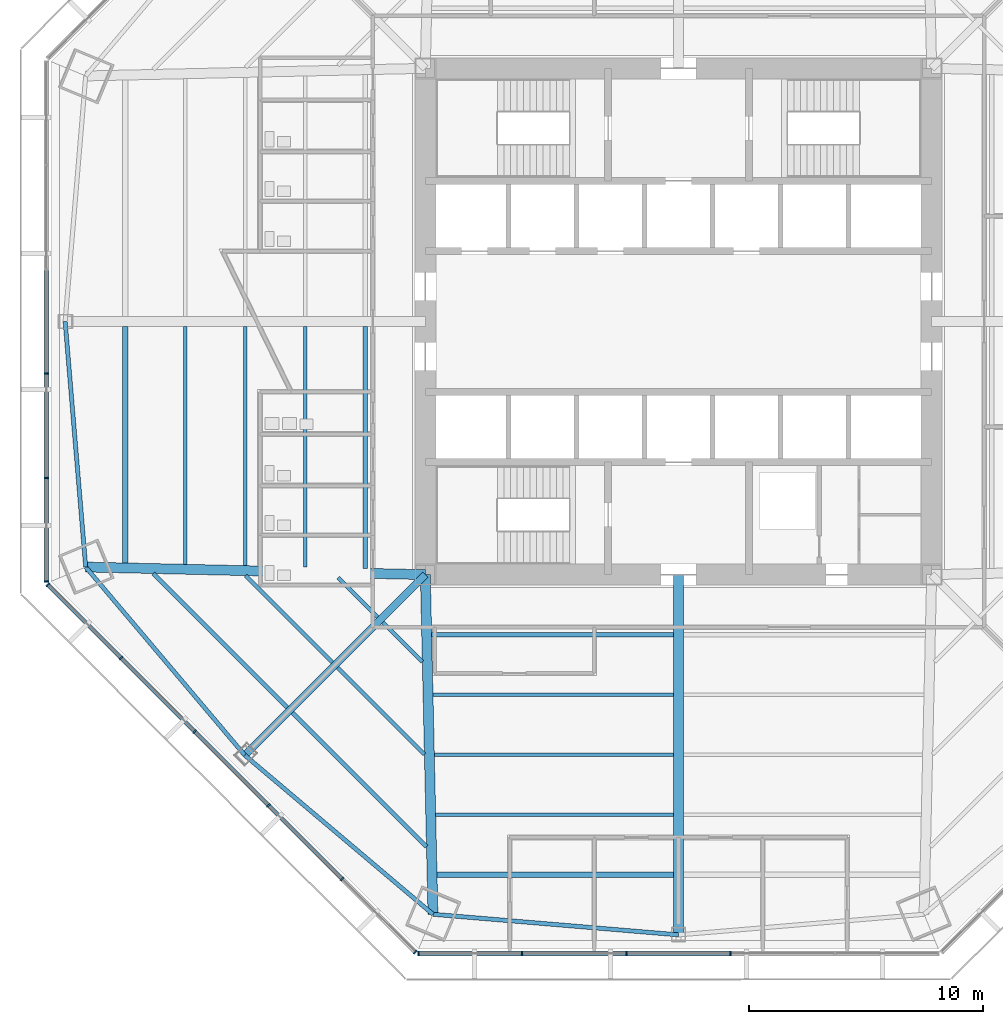
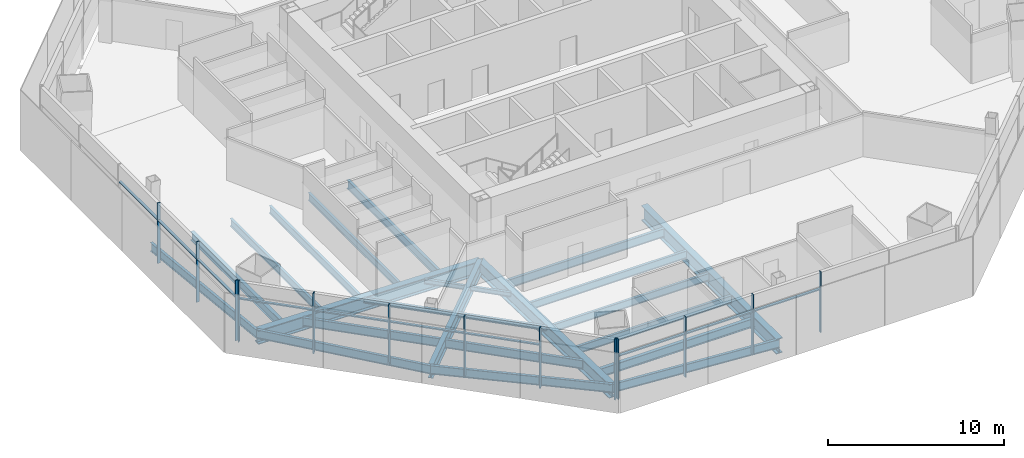
# One storey, part 2 of 15: 24 beams, 23 members, 3 elements without a shape of their own.
"""IFC4 building model written with IfcOpenShell, lengths in metres."""

import ifcopenshell
import ifcopenshell.guid

model = None  # the IFC model being written
_history = None  # IfcOwnerHistory: only IFC2X3 demands one
_inside = {}  # id of a spatial element -> (the spatial element, [elements in it])
_under = {}  # id of a project, library or spatial element -> (it, [spatial elements below it])
_declared = {}  # id of a project -> (the project, [libraries it declares])
_typed = {}  # id of a type object -> (the type object, [elements of that type])
_made_of = {}  # id of a material, layer set ... -> (it, [elements and type objects made of it])


def new_model(schema):
    """Start an empty IFC model of exactly this schema.

    Asked for "IFC4X3", IfcOpenShell would pick the latest addendum, in which some entities
    have other attributes; the version numbers below select the first issue.
    IFC2X3 requires an IfcOwnerHistory on every rooted entity: one is made here for all.
    """
    global model, _history
    if schema == "IFC4X3":
        model = ifcopenshell.file(schema_version=(4, 3, 0, 0))
    else:
        model = ifcopenshell.file(schema=schema)
    _inside.clear()
    _under.clear()
    _declared.clear()
    _typed.clear()
    _made_of.clear()
    _history = None
    if model.schema == "IFC2X3":
        org = make("IfcOrganization", Name="unknown")
        user = make(
            "IfcPersonAndOrganization",
            ThePerson=make("IfcPerson", FamilyName="unknown"),
            TheOrganization=org,
        )
        app = make(
            "IfcApplication",
            ApplicationDeveloper=org,
            Version="unknown",
            ApplicationFullName="unknown",
            ApplicationIdentifier="unknown",
        )
        _history = make(
            "IfcOwnerHistory",
            OwningUser=user,
            OwningApplication=app,
            ChangeAction="ADDED",
            CreationDate=0,
        )
    return model


def make(cls, **values):
    """One entity of the class cls with the attributes given. An attribute that is None is left unset."""
    return model.create_entity(
        cls, **{name: value for name, value in values.items() if value is not None}
    )


def rooted(cls, **values):
    """An entity with a GlobalId (a new one), such as an element, a storey or a relation."""
    return make(cls, GlobalId=ifcopenshell.guid.new(), OwnerHistory=_history, **values)


def si_unit(unit_type, name, prefix=None):
    """IfcSIUnit, for example si_unit("LENGTHUNIT", "METRE", prefix="MILLI")."""
    return make("IfcSIUnit", UnitType=unit_type, Prefix=prefix, Name=name)


def assignment(units):
    """IfcUnitAssignment: the units of a project."""
    return None if units is None else make("IfcUnitAssignment", Units=units)


def point(xyz):
    """IfcCartesianPoint."""
    return None if xyz is None else make("IfcCartesianPoint", Coordinates=xyz)


def direction(xyz):
    """IfcDirection."""
    return None if xyz is None else make("IfcDirection", DirectionRatios=xyz)


def frame(location, z_axis=None, x_axis=None):
    """IfcAxis2Placement3D, a coordinate frame: its origin and axes. An axis left out is left unset."""
    return make(
        "IfcAxis2Placement3D",
        Location=point(location),
        Axis=direction(z_axis),
        RefDirection=direction(x_axis),
    )


def frame_2d(location, x_axis=None):
    """IfcAxis2Placement2D, a coordinate frame in the plane: its origin and x axis."""
    return make(
        "IfcAxis2Placement2D", Location=point(location), RefDirection=direction(x_axis)
    )


def origin():
    """The frame at (0, 0, 0) with its axes left unset."""
    return frame((0.0, 0.0, 0.0))


def origin_2d():
    """The frame at (0, 0) in the plane with its x axis left unset."""
    return frame_2d((0.0, 0.0))


def place(relative_to, where):
    """IfcLocalPlacement: puts the frame where relative to a parent placement (None: the world)."""
    return make(
        "IfcLocalPlacement", PlacementRelTo=relative_to, RelativePlacement=where
    )


def context(
    kind, dimensions, precision=None, world=None, true_north=None, identifier=None
):
    """IfcGeometricRepresentationContext, for example the 3D "Model" context."""
    return make(
        "IfcGeometricRepresentationContext",
        ContextIdentifier=identifier,
        ContextType=kind,
        CoordinateSpaceDimension=dimensions,
        Precision=precision,
        WorldCoordinateSystem=world,
        TrueNorth=true_north,
    )


def subcontext(parent, identifier, kind, view, scale=None):
    """IfcGeometricRepresentationSubContext, for example "Body" below "Model"."""
    return make(
        "IfcGeometricRepresentationSubContext",
        ContextIdentifier=identifier,
        ContextType=kind,
        ParentContext=parent,
        TargetScale=scale,
        TargetView=view,
    )


def project(units=None, contexts=None):
    """IfcProject with its units and contexts."""
    return rooted(
        "IfcProject",
        Name="project",
        RepresentationContexts=contexts,
        UnitsInContext=assignment(units),
    )


def spatial(cls, under=None, at=None, **own):
    """A site, building, storey or space (cls), placed at a placement, below another one or the project."""
    s = rooted(cls, ObjectPlacement=at, **own)
    if under is not None:
        _under.setdefault(under.id(), (under, []))[1].append(s)
    return s


def profile(cls, at=None, kind="AREA", **sizes):
    """A parametric profile (cls). Its sizes go by their IFC names, for example OverallWidth=200.0."""
    return make(cls, ProfileType=kind, Position=at, **sizes)


def rectangle(**sizes):
    """IfcRectangleProfileDef."""
    return profile("IfcRectangleProfileDef", **sizes)


def i_section(**sizes):
    """IfcIShapeProfileDef."""
    return profile("IfcIShapeProfileDef", **sizes)


def extrude(swept, where, along, depth):
    """IfcExtrudedAreaSolid: the profile swept, set in the frame where, extruded along a direction by depth."""
    return make(
        "IfcExtrudedAreaSolid",
        SweptArea=swept,
        Position=where,
        ExtrudedDirection=direction(along),
        Depth=depth,
    )


def shape(context_of_items, identifier, shape_type, items):
    """IfcShapeRepresentation: the items that make up one representation, for example the "Body"."""
    return make(
        "IfcShapeRepresentation",
        ContextOfItems=context_of_items,
        RepresentationIdentifier=identifier,
        RepresentationType=shape_type,
        Items=items,
    )


def source(mapping_origin, context_of_items, identifier, shape_type, items):
    """IfcRepresentationMap: a shape defined once, which mapped items show again and again."""
    return make(
        "IfcRepresentationMap",
        MappingOrigin=mapping_origin,
        MappedRepresentation=shape(context_of_items, identifier, shape_type, items),
    )


def transform(
    local_origin,
    x_axis=None,
    y_axis=None,
    z_axis=None,
    scale=None,
    scale2=None,
    scale3=None,
    uniform=True,
):
    """IfcCartesianTransformationOperator3D, or its non-uniform kind. x_axis, y_axis, z_axis: its Axis1, 2, 3."""
    if uniform:
        return make(
            "IfcCartesianTransformationOperator3D",
            Axis1=direction(x_axis),
            Axis2=direction(y_axis),
            LocalOrigin=point(local_origin),
            Scale=scale,
            Axis3=direction(z_axis),
        )
    return make(
        "IfcCartesianTransformationOperator3DnonUniform",
        Axis1=direction(x_axis),
        Axis2=direction(y_axis),
        LocalOrigin=point(local_origin),
        Scale=scale,
        Axis3=direction(z_axis),
        Scale2=scale2,
        Scale3=scale3,
    )


def mapped(mapping_source, mapping_target):
    """IfcMappedItem: shows the shape of a source again, moved by a transform."""
    return make(
        "IfcMappedItem", MappingSource=mapping_source, MappingTarget=mapping_target
    )


def material(Name=None, Category=None):
    """IfcMaterial."""
    return make("IfcMaterial", Name=Name, Category=Category)


def material_profile(
    of_material, cross_section, Name=None, Category=None, Priority=None
):
    """IfcMaterialProfile: a cross section and its material."""
    return make(
        "IfcMaterialProfile",
        Name=Name,
        Material=of_material,
        Profile=cross_section,
        Priority=Priority,
        Category=Category,
    )


def profile_set(profiles, Name=None, composite=None):
    """IfcMaterialProfileSet."""
    return make(
        "IfcMaterialProfileSet",
        Name=Name,
        MaterialProfiles=profiles,
        CompositeProfile=composite,
    )


def made_of(thing, what):
    """Note that an element or type object is made of a material, layer set ...; save() writes the relation."""
    if what is not None:
        _made_of.setdefault(what.id(), (what, []))[1].append(thing)
    return thing


def type_object(cls, material=None, **own):
    """A type object (cls), such as IfcWallType, which elements share."""
    return made_of(rooted(cls, **own), material)


def type_shapes(of_type, sources):
    """Give a type object the sources (RepresentationMaps) that its elements show as mapped items."""
    of_type.RepresentationMaps = sources


def element(
    cls,
    number,
    at=None,
    inside=None,
    cuts=None,
    type_object=None,
    material=None,
    context=None,
    identifier="Body",
    shape_type=None,
    held_by="IfcProductDefinitionShape",
    body=None,
    shapes=None,
    **own,
):
    """One element of the class cls, such as IfcWall. Its Tag is "e" and its number.

    at: its placement. inside: the storey or other place that contains it. cuts: it is an
    opening in that element (IfcRelVoidsElement). A single representation is given by context,
    identifier, shape_type and body (its items); several are given by shapes. held_by: the class
    of the entity that holds the representations. save() writes the other relations.
    """
    e = rooted(cls, Tag="e%d" % number, ObjectPlacement=at, **own)
    if body is not None:
        shapes = [shape(context, identifier, shape_type, body)]
    if shapes is not None:
        e.Representation = make(held_by, Representations=shapes)
    if inside is not None:
        _inside.setdefault(inside.id(), (inside, []))[1].append(e)
    if cuts is not None:
        rooted(
            "IfcRelVoidsElement", RelatingBuildingElement=cuts, RelatedOpeningElement=e
        )
    if type_object is not None:
        _typed.setdefault(type_object.id(), (type_object, []))[1].append(e)
    return made_of(e, material)


def aggregate(whole, parts):
    """IfcRelAggregates: a whole, such as a stair, and the parts it consists of."""
    return rooted("IfcRelAggregates", RelatingObject=whole, RelatedObjects=parts)


def save(model, path):
    """Write the relations noted so far, then the file.

    IfcRelAggregates (storeys below a building ...), IfcRelContainedInSpatialStructure (elements
    in a storey), IfcRelDefinesByType, IfcRelAssociatesMaterial and IfcRelDeclares: one each for
    every whole, place, type object, material and project.
    """
    for whole, parts in _under.values():
        aggregate(whole, parts)
    for where, things in _inside.values():
        rooted(
            "IfcRelContainedInSpatialStructure",
            RelatedElements=things,
            RelatingStructure=where,
        )
    for kind, things in _typed.values():
        rooted("IfcRelDefinesByType", RelatedObjects=things, RelatingType=kind)
    for what, things in _made_of.values():
        rooted("IfcRelAssociatesMaterial", RelatedObjects=things, RelatingMaterial=what)
    for by, libraries in _declared.values():
        rooted("IfcRelDeclares", RelatingContext=by, RelatedDefinitions=libraries)
    model.write(path)


model = new_model("IFC4")

# Units and contexts
model_context = context("Model", 3, precision=1e-05, world=origin(), true_north=direction((0.0, 1.0)))
body_context = subcontext(model_context, "Body", "Model", "MODEL_VIEW")
ifc_project = project(units=[si_unit("LENGTHUNIT", "METRE"), si_unit("AREAUNIT", "SQUARE_METRE"), si_unit("VOLUMEUNIT", "CUBIC_METRE"), si_unit("PLANEANGLEUNIT", "RADIAN"), si_unit("MASSUNIT", "GRAM", prefix="KILO")], contexts=[model_context])

# Site, building, storey
site_placement = place(None, origin())
site = spatial("IfcSite", under=ifc_project, at=site_placement, CompositionType="ELEMENT")
building_placement = place(site_placement, origin())
building = spatial("IfcBuilding", under=site, at=building_placement, Name="Mashrafa Tower", CompositionType="ELEMENT")
storey_placement = place(building_placement, frame((0.0, 0.0, 37.199951171875)))
storey = spatial("IfcBuildingStorey", under=building, at=storey_placement, Name="L07", CompositionType="ELEMENT", Elevation=37.199951171875)

# Beams
ifc_material_1 = material(Name="Steel ASTM A992", Category="steel")
ifc_material_profile_1 = material_profile(ifc_material_1, i_section(OverallWidth=0.164794921875, OverallDepth=0.309814453125, WebThickness=0.005859375, FlangeThickness=0.009765625, FilletRadius=0.007568359375, at=origin_2d()), Name="W12X26")
ifc_profile_set_1 = profile_set([ifc_material_profile_1], Name="Steel ASTM A992")
beam_type_1 = type_object("IfcBeamType", Name="Beam W12X26", PredefinedType="BEAM", material=ifc_profile_set_1)
beam_1_placement = place(storey_placement, frame((-14.76025390625, -14.542724609375, -0.31982421875), z_axis=(-0.707106781187, 0.707106781187, 0.0), x_axis=(-0.707106781187, -0.707106781187, 0.0)))
element("IfcBeam", 1, at=beam_1_placement, inside=storey, type_object=beam_type_1, Name="Floor beam L07 014", PredefinedType="BEAM", context=body_context, shape_type="SweptSolid", body=[
    extrude(i_section(OverallWidth=0.164794921875, OverallDepth=0.309814453125, WebThickness=0.005859375, FlangeThickness=0.009765625, FilletRadius=0.007568359375, at=origin_2d()), origin(), (0.0, 0.0, 1.0), 5.236083984375),
])
for number, where, z_axis, x_axis, name in (
    (2, (-12.83447265625, -12.616943359375, -0.31982421875), (-0.707106781187, 0.707106781187, 0.0), (-0.707106781187, -0.707106781187, 0.0), "Floor beam L07 018"),
    (3, (-10.9287109375, -14.522705078125, -0.31982421875), (-0.707106781187, 0.707106781187, 0.0), (-0.707106781187, -0.707106781187, 0.0), "Floor beam L07 021"),
):
    element("IfcBeam", number, at=place(storey_placement, frame(where, z_axis=z_axis, x_axis=x_axis)), inside=storey, type_object=beam_type_1, Name=name, PredefinedType="BEAM", context=body_context, shape_type="SweptSolid", body=[
        extrude(i_section(OverallWidth=0.164794921875, OverallDepth=0.309814453125, WebThickness=0.005859375, FlangeThickness=0.009765625, FilletRadius=0.007568359375, at=origin_2d()), origin(), (0.0, 0.0, 1.0), 2.387451171875),
    ])
beam_2_placement = place(storey_placement, frame((-10.84033203125, -18.462646484375, -0.31982421875), z_axis=(-0.707106781187, 0.707106781187, 0.0), x_axis=(-0.707106781187, -0.707106781187, 0.0)))
element("IfcBeam", 4, at=beam_2_placement, inside=storey, type_object=beam_type_1, Name="Floor beam L07 024", PredefinedType="BEAM", context=body_context, shape_type="SweptSolid", body=[
    extrude(i_section(OverallWidth=0.164794921875, OverallDepth=0.309814453125, WebThickness=0.005859375, FlangeThickness=0.009765625, FilletRadius=0.007568359375, at=origin_2d()), origin(), (0.0, 0.0, 1.0), 5.236083984375),
])
ifc_material_2 = material(Name="Steel ASTM A992", Category="steel")
ifc_material_profile_2 = material_profile(ifc_material_2, i_section(OverallWidth=0.165771484375, OverallDepth=0.5283203125, WebThickness=0.009765625, FlangeThickness=0.013671875, FilletRadius=0.012939453125, at=origin_2d()), Name="W21X50")
ifc_profile_set_2 = profile_set([ifc_material_profile_2], Name="Steel ASTM A992")
beam_type_2 = type_object("IfcBeamType", Name="Beam W21X50", PredefinedType="BEAM", material=ifc_profile_set_2)
beam_3_placement = place(storey_placement, frame((-21.044677734375, -10.358154296875, -0.42919921875), z_axis=(0.0, 1.0, 0.0), x_axis=(-1.0, 0.0, 0.0)))
element("IfcBeam", 5, at=beam_3_placement, inside=storey, type_object=beam_type_2, Name="Floor beam L07 004", PredefinedType="BEAM", context=body_context, shape_type="SweptSolid", body=[
    extrude(i_section(OverallWidth=0.165771484375, OverallDepth=0.5283203125, WebThickness=0.009765625, FlangeThickness=0.013671875, FilletRadius=0.012939453125, at=origin_2d()), origin(), (0.0, 0.0, 1.0), 10.153564453125),
])
beam_4_placement = place(storey_placement, frame((-18.4833984375, -10.41552734375, -0.42919921875), z_axis=(0.0, 1.0, 0.0), x_axis=(-1.0, 0.0, 0.0)))
element("IfcBeam", 6, at=beam_4_placement, inside=storey, type_object=beam_type_2, Name="Floor beam L07 007", PredefinedType="BEAM", context=body_context, shape_type="SweptSolid", body=[
    extrude(i_section(OverallWidth=0.165771484375, OverallDepth=0.5283203125, WebThickness=0.009765625, FlangeThickness=0.013671875, FilletRadius=0.012939453125, at=origin_2d()), origin(), (0.0, 0.0, 1.0), 10.2109375),
])
beam_5_placement = place(storey_placement, frame((-15.92236328125, -10.472900390625, -0.42919921875), z_axis=(0.0, 1.0, 0.0), x_axis=(-1.0, 0.0, 0.0)))
element("IfcBeam", 7, at=beam_5_placement, inside=storey, type_object=beam_type_2, Name="Floor beam L07 011", PredefinedType="BEAM", context=body_context, shape_type="SweptSolid", body=[
    extrude(i_section(OverallWidth=0.165771484375, OverallDepth=0.5283203125, WebThickness=0.009765625, FlangeThickness=0.013671875, FilletRadius=0.012939453125, at=origin_2d()), origin(), (0.0, 0.0, 1.0), 10.268310546875),
])
beam_6_placement = place(storey_placement, frame((-0.20458984375, -21.044677734375, -0.42919921875), z_axis=(-1.0, 0.0, 0.0), x_axis=(0.0, -1.0, 0.0)))
element("IfcBeam", 8, at=beam_6_placement, inside=storey, type_object=beam_type_2, Name="Floor beam L07 029", PredefinedType="BEAM", context=body_context, shape_type="SweptSolid", body=[
    extrude(i_section(OverallWidth=0.165771484375, OverallDepth=0.5283203125, WebThickness=0.009765625, FlangeThickness=0.013671875, FilletRadius=0.012939453125, at=origin_2d()), origin(), (0.0, 0.0, 1.0), 10.153564453125),
])
beam_7_placement = place(storey_placement, frame((-0.20458984375, -18.4833984375, -0.42919921875), z_axis=(-1.0, 0.0, 0.0), x_axis=(0.0, -1.0, 0.0)))
element("IfcBeam", 9, at=beam_7_placement, inside=storey, type_object=beam_type_2, Name="Floor beam L07 030", PredefinedType="BEAM", context=body_context, shape_type="SweptSolid", body=[
    extrude(i_section(OverallWidth=0.165771484375, OverallDepth=0.5283203125, WebThickness=0.009765625, FlangeThickness=0.013671875, FilletRadius=0.012939453125, at=origin_2d()), origin(), (0.0, 0.0, 1.0), 10.2109375),
])
beam_8_placement = place(storey_placement, frame((-0.20458984375, -15.92236328125, -0.42919921875), z_axis=(-1.0, 0.0, 0.0), x_axis=(0.0, -1.0, 0.0)))
element("IfcBeam", 10, at=beam_8_placement, inside=storey, type_object=beam_type_2, Name="Floor beam L07 031", PredefinedType="BEAM", context=body_context, shape_type="SweptSolid", body=[
    extrude(i_section(OverallWidth=0.165771484375, OverallDepth=0.5283203125, WebThickness=0.009765625, FlangeThickness=0.013671875, FilletRadius=0.012939453125, at=origin_2d()), origin(), (0.0, 0.0, 1.0), 10.268310546875),
])
ifc_material_3 = material(Name="Steel ASTM A992", Category="steel")
ifc_material_profile_3 = material_profile(ifc_material_3, i_section(OverallWidth=0.177978515625, OverallDepth=0.599365234375, WebThickness=0.010009765625, FlangeThickness=0.012939453125, FilletRadius=0.012939453125, at=origin_2d()), Name="W24X55")
ifc_profile_set_3 = profile_set([ifc_material_profile_3], Name="Steel ASTM A992")
beam_type_3 = type_object("IfcBeamType", Name="Beam W24X55", PredefinedType="BEAM", material=ifc_profile_set_3)
beam_9_placement = place(storey_placement, frame((-16.685791015625, -16.468505859375, -0.464599609375), z_axis=(-0.707121880143, 0.707091681908, 0.0), x_axis=(-0.707091681908, -0.707121880143, 0.0)))
element("IfcBeam", 11, at=beam_9_placement, inside=storey, type_object=beam_type_3, Name="Floor beam L07 009", PredefinedType="BEAM", context=body_context, shape_type="SweptSolid", body=[
    extrude(i_section(OverallWidth=0.177978515625, OverallDepth=0.599365234375, WebThickness=0.010009765625, FlangeThickness=0.012939453125, FilletRadius=0.012939453125, at=origin_2d()), origin(), (0.0, 0.0, 1.0), 8.084716796875),
])
beam_10_placement = place(storey_placement, frame((-13.361083984375, -10.530517578125, -0.464599609375), z_axis=(0.0, 1.0, 0.0), x_axis=(-1.0, 0.0, 0.0)))
element("IfcBeam", 12, at=beam_10_placement, inside=storey, type_object=beam_type_3, Name="Floor beam L07 016", PredefinedType="BEAM", context=body_context, shape_type="SweptSolid", body=[
    extrude(i_section(OverallWidth=0.177978515625, OverallDepth=0.599365234375, WebThickness=0.010009765625, FlangeThickness=0.012939453125, FilletRadius=0.012939453125, at=origin_2d()), origin(), (0.0, 0.0, 1.0), 10.325927734375),
])
beam_11_placement = place(storey_placement, frame((-10.751953125, -22.402587890625, -0.464599609375), z_axis=(-0.707091681908, 0.707121880143, 0.0), x_axis=(-0.707121880143, -0.707091681908, 0.0)))
element("IfcBeam", 13, at=beam_11_placement, inside=storey, type_object=beam_type_3, Name="Floor beam L07 026", PredefinedType="BEAM", context=body_context, shape_type="SweptSolid", body=[
    extrude(i_section(OverallWidth=0.177978515625, OverallDepth=0.599365234375, WebThickness=0.010009765625, FlangeThickness=0.012939453125, FilletRadius=0.012939453125, at=origin_2d()), origin(), (0.0, 0.0, 1.0), 8.084716796875),
])
beam_12_placement = place(storey_placement, frame((-0.20458984375, -13.361083984375, -0.464599609375), z_axis=(-1.0, 0.0, 0.0), x_axis=(0.0, -1.0, 0.0)))
element("IfcBeam", 14, at=beam_12_placement, inside=storey, type_object=beam_type_3, Name="Floor beam L07 032", PredefinedType="BEAM", context=body_context, shape_type="SweptSolid", body=[
    extrude(i_section(OverallWidth=0.177978515625, OverallDepth=0.599365234375, WebThickness=0.010009765625, FlangeThickness=0.012939453125, FilletRadius=0.012939453125, at=origin_2d()), origin(), (0.0, 0.0, 1.0), 10.325927734375),
])
beam_13_placement = place(storey_placement, frame((-26.1669921875, 0.0, -0.464599609375), z_axis=(0.083541369565, -0.996504309861, 0.0), x_axis=(0.996504309861, 0.083541369565, 0.0)))
element("IfcBeam", 15, at=beam_13_placement, inside=storey, type_object=beam_type_3, Name="Spandrel beam L07 081", PredefinedType="BEAM", context=body_context, shape_type="SweptSolid", body=[
    extrude(i_section(OverallWidth=0.177978515625, OverallDepth=0.599365234375, WebThickness=0.010009765625, FlangeThickness=0.012939453125, FilletRadius=0.012939453125, at=origin_2d()), origin(), (0.0, 0.0, 1.0), 10.511962890625),
])
for number, where, z_axis, x_axis, name in (
    (16, (-25.288818359375, -10.47509765625, -0.464599609375), (0.645560056719, -0.763709508366, 0.0), (0.763709508366, 0.645560056719, 0.0), "Spandrel beam L07 082"),
    (17, (-18.5029296875, -18.5029296875, -0.464599609375), (0.763709508366, -0.645560056719, 0.0), (0.645560056719, 0.763709508366, 0.0), "Spandrel beam L07 084"),
):
    element("IfcBeam", number, at=place(storey_placement, frame(where, z_axis=z_axis, x_axis=x_axis)), inside=storey, type_object=beam_type_3, Name=name, PredefinedType="BEAM", context=body_context, shape_type="SweptSolid", body=[
        extrude(i_section(OverallWidth=0.177978515625, OverallDepth=0.599365234375, WebThickness=0.010009765625, FlangeThickness=0.012939453125, FilletRadius=0.012939453125, at=origin_2d()), origin(), (0.0, 0.0, 1.0), 10.51171875),
    ])
beam_14_placement = place(storey_placement, frame((-10.47509765625, -25.288818359375, -0.464599609375), z_axis=(0.996504309861, -0.083541369565, 0.0), x_axis=(0.083541369565, 0.996504309861, 0.0)))
element("IfcBeam", 18, at=beam_14_placement, inside=storey, type_object=beam_type_3, Name="Spandrel beam L07 086", PredefinedType="BEAM", context=body_context, shape_type="SweptSolid", body=[
    extrude(i_section(OverallWidth=0.177978515625, OverallDepth=0.599365234375, WebThickness=0.010009765625, FlangeThickness=0.012939453125, FilletRadius=0.012939453125, at=origin_2d()), origin(), (0.0, 0.0, 1.0), 10.511962890625),
])
ifc_material_4 = material(Name="Steel ASTM A992", Category="steel")
ifc_material_profile_4 = material_profile(ifc_material_4, i_section(OverallWidth=0.227783203125, OverallDepth=0.60205078125, WebThickness=0.010498046875, FlangeThickness=0.014892578125, FilletRadius=0.012939453125, at=origin_2d()), Name="W24X68")
ifc_profile_set_4 = profile_set([ifc_material_profile_4], Name="Steel ASTM A992")
beam_type_4 = type_object("IfcBeamType", Name="Beam W24X68", PredefinedType="BEAM", material=ifc_profile_set_4)
for number, where, z_axis, x_axis, name in (
    (19, (-23.605712890625, -10.30078125, -0.4658203125), (0.0, 1.0, 0.0), (-1.0, 0.0, 0.0), "Floor beam L07 001"),
    (20, (-0.20458984375, -23.605712890625, -0.4658203125), (-1.0, 0.0, 0.0), (0.0, -1.0, 0.0), "Floor beam L07 028"),
):
    element("IfcBeam", number, at=place(storey_placement, frame(where, z_axis=z_axis, x_axis=x_axis)), inside=storey, type_object=beam_type_4, Name=name, PredefinedType="BEAM", context=body_context, shape_type="SweptSolid", body=[
        extrude(i_section(OverallWidth=0.227783203125, OverallDepth=0.60205078125, WebThickness=0.010498046875, FlangeThickness=0.014892578125, FilletRadius=0.012939453125, at=origin_2d()), origin(), (0.0, 0.0, 1.0), 10.09619140625),
    ])
ifc_material_5 = material(Name="Steel ASTM A992", Category="steel")
ifc_material_profile_5 = material_profile(ifc_material_5, i_section(OverallWidth=0.307373046875, OverallDepth=0.927001953125, WebThickness=0.01953125, FlangeThickness=0.031982421875, FilletRadius=0.01904296875, at=origin_2d()), Name="W36X194")
ifc_profile_set_5 = profile_set([ifc_material_profile_5], Name="Steel ASTM A992")
beam_type_5 = type_object("IfcBeamType", Name="Beam W36X194", PredefinedType="BEAM", material=ifc_profile_set_5)
beam_15_placement = place(storey_placement, frame((-10.800048828125, -10.800048828125, -0.62841796875), z_axis=(-0.707106781187, -0.707106781187, 0.0), x_axis=(0.707106781187, -0.707106781187, 0.0)))
element("IfcBeam", 21, at=beam_15_placement, inside=storey, type_object=beam_type_5, Name="Radial girder L07 066", PredefinedType="BEAM", context=body_context, shape_type="SweptSolid", body=[
    extrude(i_section(OverallWidth=0.307373046875, OverallDepth=0.927001953125, WebThickness=0.01953125, FlangeThickness=0.031982421875, FilletRadius=0.01904296875, at=origin_2d()), origin(), (0.0, 0.0, 1.0), 10.8935546875),
])
ifc_material_6 = material(Name="Steel ASTM A992", Category="steel")
ifc_material_profile_6 = material_profile(ifc_material_6, i_section(OverallWidth=0.424072265625, OverallDepth=0.960205078125, WebThickness=0.028564453125, FlangeThickness=0.051025390625, FilletRadius=0.02001953125, at=origin_2d()), Name="W36X361")
ifc_profile_set_6 = profile_set([ifc_material_profile_6], Name="Steel ASTM A992")
beam_type_6 = type_object("IfcBeamType", Name="Beam W36X361", PredefinedType="BEAM", material=ifc_profile_set_6)
for number, where, z_axis, x_axis, name in (
    (22, (-10.800048828125, -10.800048828125, -0.64501953125), (-0.999748591817, 0.022422157782, 0.0), (-0.022422157782, -0.999748591817, 0.0), "Radial girder L07 065"),
    (23, (-10.800048828125, -10.800048828125, -0.64501953125), (0.022422157782, -0.999748591817, 0.0), (0.999748591817, 0.022422157782, 0.0), "Radial girder L07 067"),
):
    element("IfcBeam", number, at=place(storey_placement, frame(where, z_axis=z_axis, x_axis=x_axis)), inside=storey, type_object=beam_type_6, Name=name, PredefinedType="BEAM", context=body_context, shape_type="SweptSolid", body=[
        extrude(i_section(OverallWidth=0.424072265625, OverallDepth=0.960205078125, WebThickness=0.028564453125, FlangeThickness=0.051025390625, FilletRadius=0.02001953125, at=origin_2d()), origin(), (0.0, 0.0, 1.0), 14.492431640625),
    ])
ifc_material_7 = material(Name="Steel ASTM A992", Category="steel")
ifc_material_profile_7 = material_profile(ifc_material_7, i_section(OverallWidth=0.408935546875, OverallDepth=1.04150390625, WebThickness=0.031005859375, FlangeThickness=0.055908203125, FilletRadius=0.020263671875, at=origin_2d()), Name="W40X397")
ifc_profile_set_7 = profile_set([ifc_material_profile_7], Name="Steel ASTM A992")
beam_type_7 = type_object("IfcBeamType", Name="Beam W40X397", PredefinedType="BEAM", material=ifc_profile_set_7)
beam_16_placement = place(storey_placement, frame((0.0, -10.800048828125, -0.685546875), z_axis=(0.0, -1.0, 0.0), x_axis=(1.0, 0.0, 0.0)))
element("IfcBeam", 24, at=beam_16_placement, inside=storey, type_object=beam_type_7, Name="Radial girder L07 072", PredefinedType="BEAM", context=body_context, shape_type="SweptSolid", body=[
    extrude(i_section(OverallWidth=0.408935546875, OverallDepth=1.04150390625, WebThickness=0.031005859375, FlangeThickness=0.055908203125, FilletRadius=0.020263671875, at=origin_2d()), origin(), (0.0, 0.0, 1.0), 15.366943359375),
])

# Curtain wall, members
ifc_material_8 = material(Name="Unitised aluminium curtain wall", Category="aluminium")
curtain_wall_type = type_object("IfcCurtainWallType", Name="Office curtain wall, zone 1 CW-A 200 deep", PredefinedType="NOTDEFINED", material=ifc_material_8)
curtain_wall_1_placement = place(storey_placement, origin())
curtain_wall_1 = element("IfcCurtainWall", 25, at=curtain_wall_1_placement, inside=storey, type_object=curtain_wall_type, Name="Office curtain wall, zone 1 L07 west", PredefinedType="NOTDEFINED")
ifc_material_9 = material(Name="Extruded aluminium mullion", Category="aluminium")
ifc_material_profile_8 = material_profile(ifc_material_9, rectangle(XDim=0.199951171875, YDim=0.06494140625, at=origin_2d()), Name="Mullion 65x200")
ifc_profile_set_8 = profile_set([ifc_material_profile_8], Name="Extruded aluminium mullion")
member_type_1 = type_object("IfcMemberType", Name="Mullion CW-A 65 x 200", PredefinedType="MULLION", material=ifc_profile_set_8)
shared_shape_1 = source(origin(), body_context, "Body", "SweptSolid", [
    extrude(rectangle(XDim=0.199951171875, YDim=0.06494140625, at=origin_2d()), origin(), (0.0, 0.0, 1.0), 4.199951171875),
])
type_shapes(member_type_1, [shared_shape_1])
member_1_placement = place(storey_placement, frame((-26.96240234375, -2.223388671875, 0.0), z_axis=(0.0, 0.0, 1.0), x_axis=(1.0, 0.0, 0.0)))
member_1 = element("IfcMember", 26, at=member_1_placement, type_object=member_type_1, Name="CW-A mullion 4", PredefinedType="MULLION", context=body_context, shape_type="MappedRepresentation", body=[
    mapped(shared_shape_1, transform((0.0, 0.0, 0.0))),
])
member_2_placement = place(storey_placement, frame((-26.96240234375, -6.670166015625, 0.0), z_axis=(0.0, 0.0, 1.0), x_axis=(1.0, 0.0, 0.0)))
member_2 = element("IfcMember", 27, at=member_2_placement, type_object=member_type_1, Name="CW-A mullion 5", PredefinedType="MULLION", context=body_context, shape_type="MappedRepresentation", body=[
    mapped(shared_shape_1, transform((0.0, 0.0, 0.0))),
])
member_3_placement = place(storey_placement, frame((-26.96240234375, -11.084228515625, 0.0), z_axis=(0.0, 0.0, 1.0), x_axis=(1.0, 0.0, 0.0)))
member_3 = element("IfcMember", 28, at=member_3_placement, type_object=member_type_1, Name="CW-A mullion 6", PredefinedType="MULLION", context=body_context, shape_type="MappedRepresentation", body=[
    mapped(shared_shape_1, transform((0.0, 0.0, 0.0))),
])

curtain_wall_2_placement = place(storey_placement, origin())
curtain_wall_2 = element("IfcCurtainWall", 29, at=curtain_wall_2_placement, inside=storey, type_object=curtain_wall_type, Name="Office curtain wall, zone 1 L07 south-west", PredefinedType="NOTDEFINED")
member_4_placement = place(storey_placement, frame((-26.903076171875, -11.2275390625, 0.0), z_axis=(0.0, 0.0, 1.0), x_axis=(0.707106781187, 0.707106781187, 0.0)))
member_4 = element("IfcMember", 30, at=member_4_placement, type_object=member_type_1, Name="CW-A mullion 1", PredefinedType="MULLION", context=body_context, shape_type="MappedRepresentation", body=[
    mapped(shared_shape_1, transform((0.0, 0.0, 0.0))),
])
member_5_placement = place(storey_placement, frame((-23.78173828125, -14.348876953125, 0.0), z_axis=(0.0, 0.0, 1.0), x_axis=(0.707106781187, 0.707106781187, 0.0)))
member_5 = element("IfcMember", 31, at=member_5_placement, type_object=member_type_1, Name="CW-A mullion 2", PredefinedType="MULLION", context=body_context, shape_type="MappedRepresentation", body=[
    mapped(shared_shape_1, transform((0.0, 0.0, 0.0))),
])
member_6_placement = place(storey_placement, frame((-20.637451171875, -17.4931640625, 0.0), z_axis=(0.0, 0.0, 1.0), x_axis=(0.707106781187, 0.707106781187, 0.0)))
member_6 = element("IfcMember", 32, at=member_6_placement, type_object=member_type_1, Name="CW-A mullion 3", PredefinedType="MULLION", context=body_context, shape_type="MappedRepresentation", body=[
    mapped(shared_shape_1, transform((0.0, 0.0, 0.0))),
])
member_7_placement = place(storey_placement, frame((-17.4931640625, -20.637451171875, 0.0), z_axis=(0.0, 0.0, 1.0), x_axis=(0.707106781187, 0.707106781187, 0.0)))
member_7 = element("IfcMember", 33, at=member_7_placement, type_object=member_type_1, Name="CW-A mullion 4", PredefinedType="MULLION", context=body_context, shape_type="MappedRepresentation", body=[
    mapped(shared_shape_1, transform((0.0, 0.0, 0.0))),
])
member_8_placement = place(storey_placement, frame((-14.348876953125, -23.78173828125, 0.0), z_axis=(0.0, 0.0, 1.0), x_axis=(0.707106781187, 0.707106781187, 0.0)))
member_8 = element("IfcMember", 34, at=member_8_placement, type_object=member_type_1, Name="CW-A mullion 5", PredefinedType="MULLION", context=body_context, shape_type="MappedRepresentation", body=[
    mapped(shared_shape_1, transform((0.0, 0.0, 0.0))),
])
member_9_placement = place(storey_placement, frame((-11.2275390625, -26.903076171875, 0.0), z_axis=(0.0, 0.0, 1.0), x_axis=(0.707106781187, 0.707106781187, 0.0)))
member_9 = element("IfcMember", 35, at=member_9_placement, type_object=member_type_1, Name="CW-A mullion 6", PredefinedType="MULLION", context=body_context, shape_type="MappedRepresentation", body=[
    mapped(shared_shape_1, transform((0.0, 0.0, 0.0))),
])

curtain_wall_3_placement = place(storey_placement, origin())
curtain_wall_3 = element("IfcCurtainWall", 36, at=curtain_wall_3_placement, inside=storey, type_object=curtain_wall_type, Name="Office curtain wall, zone 1 L07 south", PredefinedType="NOTDEFINED")
member_10_placement = place(storey_placement, frame((-11.084228515625, -26.96240234375, 0.0), z_axis=(0.0, 0.0, 1.0), x_axis=(0.0, 1.0, 0.0)))
member_10 = element("IfcMember", 37, at=member_10_placement, type_object=member_type_1, Name="CW-A mullion 1", PredefinedType="MULLION", context=body_context, shape_type="MappedRepresentation", body=[
    mapped(shared_shape_1, transform((0.0, 0.0, 0.0))),
])
member_11_placement = place(storey_placement, frame((-6.670166015625, -26.96240234375, 0.0), z_axis=(0.0, 0.0, 1.0), x_axis=(0.0, 1.0, 0.0)))
member_11 = element("IfcMember", 38, at=member_11_placement, type_object=member_type_1, Name="CW-A mullion 2", PredefinedType="MULLION", context=body_context, shape_type="MappedRepresentation", body=[
    mapped(shared_shape_1, transform((0.0, 0.0, 0.0))),
])
member_12_placement = place(storey_placement, frame((-2.223388671875, -26.96240234375, 0.0), z_axis=(0.0, 0.0, 1.0), x_axis=(0.0, 1.0, 0.0)))
member_12 = element("IfcMember", 39, at=member_12_placement, type_object=member_type_1, Name="CW-A mullion 3", PredefinedType="MULLION", context=body_context, shape_type="MappedRepresentation", body=[
    mapped(shared_shape_1, transform((0.0, 0.0, 0.0))),
])
member_13_placement = place(storey_placement, frame((2.223388671875, -26.96240234375, 0.0), z_axis=(0.0, 0.0, 1.0), x_axis=(0.0, 1.0, 0.0)))
member_13 = element("IfcMember", 40, at=member_13_placement, type_object=member_type_1, Name="CW-A mullion 4", PredefinedType="MULLION", context=body_context, shape_type="MappedRepresentation", body=[
    mapped(shared_shape_1, transform((0.0, 0.0, 0.0))),
])

# Member
ifc_material_10 = material(Name="Extruded aluminium transom", Category="aluminium")
ifc_material_profile_9 = material_profile(ifc_material_10, rectangle(XDim=0.159912109375, YDim=0.080078125, at=origin_2d()), Name="Transom 80x160")
ifc_profile_set_9 = profile_set([ifc_material_profile_9], Name="Extruded aluminium transom")
member_type_2 = type_object("IfcMemberType", Name="Transom CW-A 80 x 160", PredefinedType="MULLION", material=ifc_profile_set_9)
shared_shape_2 = source(origin(), body_context, "Body", "SweptSolid", [
    extrude(rectangle(XDim=0.159912109375, YDim=0.080078125, at=origin_2d()), origin(), (0.0, 0.0, 1.0), 4.34912109375),
])
member_14_placement = place(storey_placement, frame((-26.96240234375, -6.70263671875, 3.0), z_axis=(0.0, -1.0, 0.0), x_axis=(1.0, 0.0, 0.0)))
member_14 = element("IfcMember", 41, at=member_14_placement, type_object=member_type_2, Name="CW-A transom 5", PredefinedType="MULLION", context=body_context, shape_type="MappedRepresentation", body=[
    mapped(shared_shape_2, transform((0.0, 0.0, 0.0))),
])

member_15_placement = place(storey_placement, frame((-11.0517578125, -26.96240234375, 3.0), z_axis=(1.0, 0.0, 0.0), x_axis=(0.0, 1.0, 0.0)))
member_15 = element("IfcMember", 42, at=member_15_placement, type_object=member_type_2, Name="CW-A transom 1", PredefinedType="MULLION", context=body_context, shape_type="MappedRepresentation", body=[
    mapped(shared_shape_2, transform((0.0, 0.0, 0.0))),
])

shared_shape_3 = source(origin(), body_context, "Body", "SweptSolid", [
    extrude(rectangle(XDim=0.159912109375, YDim=0.080078125, at=origin_2d()), origin(), (0.0, 0.0, 1.0), 4.381591796875),
])
member_16_placement = place(storey_placement, frame((-26.96240234375, -2.255859375, 3.0), z_axis=(0.0, -1.0, 0.0), x_axis=(1.0, 0.0, 0.0)))
member_16 = element("IfcMember", 43, at=member_16_placement, type_object=member_type_2, Name="CW-A transom 4", PredefinedType="MULLION", context=body_context, shape_type="MappedRepresentation", body=[
    mapped(shared_shape_3, transform((0.0, 0.0, 0.0))),
])

member_17_placement = place(storey_placement, frame((-6.637451171875, -26.96240234375, 3.0), z_axis=(1.0, 0.0, 0.0), x_axis=(0.0, 1.0, 0.0)))
member_17 = element("IfcMember", 44, at=member_17_placement, type_object=member_type_2, Name="CW-A transom 2", PredefinedType="MULLION", context=body_context, shape_type="MappedRepresentation", body=[
    mapped(shared_shape_3, transform((0.0, 0.0, 0.0))),
])

shared_shape_4 = source(origin(), body_context, "Body", "SweptSolid", [
    extrude(rectangle(XDim=0.159912109375, YDim=0.080078125, at=origin_2d()), origin(), (0.0, 0.0, 1.0), 4.3818359375),
])
member_18_placement = place(storey_placement, frame((-26.96240234375, 2.19091796875, 3.0), z_axis=(0.0, -1.0, 0.0), x_axis=(1.0, 0.0, 0.0)))
member_18 = element("IfcMember", 45, at=member_18_placement, type_object=member_type_2, Name="CW-A transom 3", PredefinedType="MULLION", context=body_context, shape_type="MappedRepresentation", body=[
    mapped(shared_shape_4, transform((0.0, 0.0, 0.0))),
])

aggregate(curtain_wall_1, [member_1, member_2, member_3, member_18, member_16, member_14])

member_19_placement = place(storey_placement, frame((-23.7587890625, -14.371826171875, 3.0), z_axis=(0.707106781187, -0.707106781187, 0.0), x_axis=(0.707106781187, 0.707106781187, 0.0)))
member_19 = element("IfcMember", 46, at=member_19_placement, type_object=member_type_2, Name="CW-A transom 2", PredefinedType="MULLION", context=body_context, shape_type="MappedRepresentation", body=[
    mapped(shared_shape_4, transform((0.0, 0.0, 0.0))),
])

member_20_placement = place(storey_placement, frame((-20.614501953125, -17.51611328125, 3.0), z_axis=(0.707106781187, -0.707106781187, 0.0), x_axis=(0.707106781187, 0.707106781187, 0.0)))
member_20 = element("IfcMember", 47, at=member_20_placement, type_object=member_type_2, Name="CW-A transom 3", PredefinedType="MULLION", context=body_context, shape_type="MappedRepresentation", body=[
    mapped(shared_shape_4, transform((0.0, 0.0, 0.0))),
])

member_21_placement = place(storey_placement, frame((-17.47021484375, -20.660400390625, 3.0), z_axis=(0.707106781187, -0.707106781187, 0.0), x_axis=(0.707106781187, 0.707106781187, 0.0)))
member_21 = element("IfcMember", 48, at=member_21_placement, type_object=member_type_2, Name="CW-A transom 4", PredefinedType="MULLION", context=body_context, shape_type="MappedRepresentation", body=[
    mapped(shared_shape_4, transform((0.0, 0.0, 0.0))),
])

member_22_placement = place(storey_placement, frame((-2.19091796875, -26.96240234375, 3.0), z_axis=(1.0, 0.0, 0.0), x_axis=(0.0, 1.0, 0.0)))
member_22 = element("IfcMember", 49, at=member_22_placement, type_object=member_type_2, Name="CW-A transom 3", PredefinedType="MULLION", context=body_context, shape_type="MappedRepresentation", body=[
    mapped(shared_shape_4, transform((0.0, 0.0, 0.0))),
])

aggregate(curtain_wall_3, [member_10, member_11, member_12, member_13, member_15, member_17, member_22])

shared_shape_5 = source(origin(), body_context, "Body", "SweptSolid", [
    extrude(rectangle(XDim=0.159912109375, YDim=0.080078125, at=origin_2d()), origin(), (0.0, 0.0, 1.0), 4.349365234375),
])
type_shapes(member_type_2, [shared_shape_2, shared_shape_3, shared_shape_4, shared_shape_5])
member_23_placement = place(storey_placement, frame((-26.880126953125, -11.25048828125, 3.0), z_axis=(0.707106781187, -0.707106781187, 0.0), x_axis=(0.707106781187, 0.707106781187, 0.0)))
member_23 = element("IfcMember", 50, at=member_23_placement, type_object=member_type_2, Name="CW-A transom 1", PredefinedType="MULLION", context=body_context, shape_type="MappedRepresentation", body=[
    mapped(shared_shape_5, transform((0.0, 0.0, 0.0))),
])

aggregate(curtain_wall_2, [member_4, member_5, member_6, member_7, member_8, member_9, member_23, member_19, member_20, member_21])

save(model, "model.ifc")
